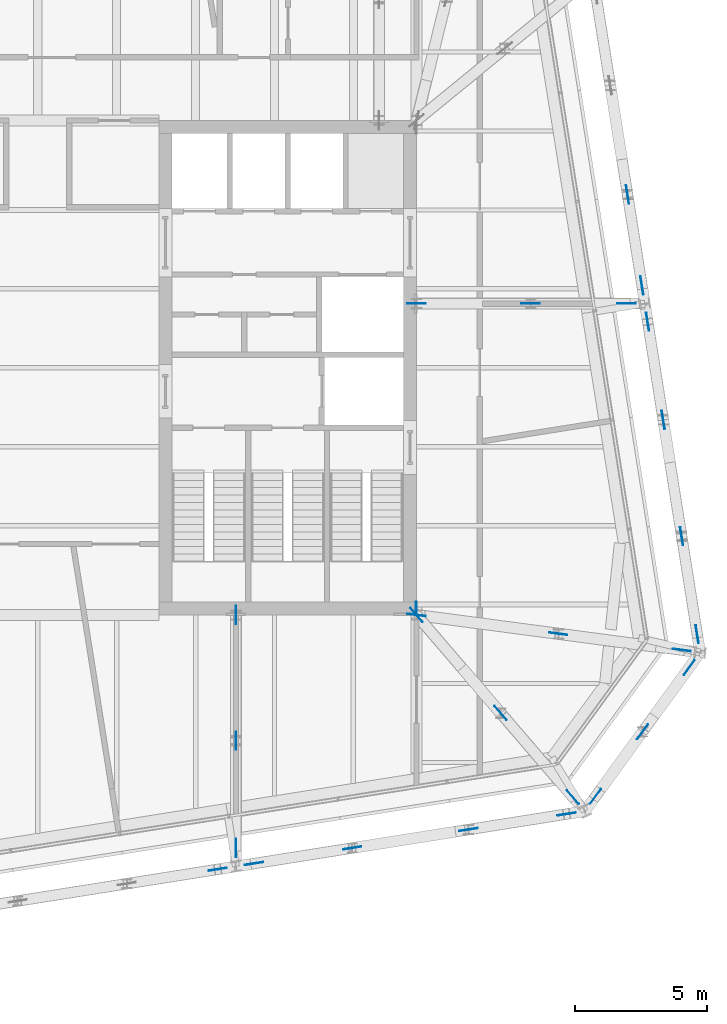
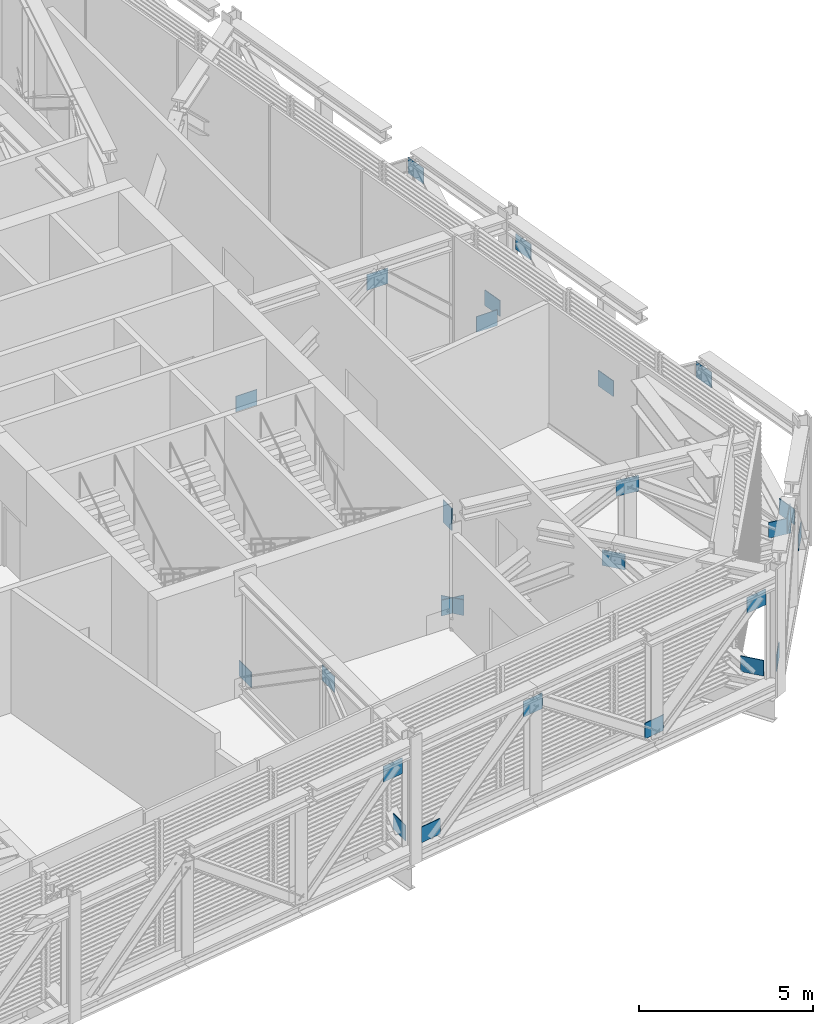
# One storey, part 28 of 32: 27 discrete accessories.
"""IFC4 building model written with IfcOpenShell, lengths in metres."""

from ifc_helpers import new_model, si_unit, direction, frame, origin, origin_2d, place, context, subcontext, project, spatial, rectangle, extrude, material, layer, layer_set, type_object, element, save


model = new_model("IFC4")

# Units and contexts
model_context = context("Model", 3, precision=1e-05, world=origin(), true_north=direction((0.0, 1.0)))
body_context = subcontext(model_context, "Body", "Model", "MODEL_VIEW")
ifc_project = project(units=[si_unit("LENGTHUNIT", "METRE"), si_unit("AREAUNIT", "SQUARE_METRE"), si_unit("VOLUMEUNIT", "CUBIC_METRE"), si_unit("PLANEANGLEUNIT", "RADIAN"), si_unit("MASSUNIT", "GRAM", prefix="KILO")], contexts=[model_context])

# Site, building, storey
site_placement = place(None, origin())
site = spatial("IfcSite", under=ifc_project, at=site_placement, CompositionType="ELEMENT")
building_placement = place(site_placement, origin())
building = spatial("IfcBuilding", under=site, at=building_placement, Name="Millrace Tower", CompositionType="ELEMENT")
storey_placement = place(building_placement, frame((0.0, 0.0, 266.89990234375)))
storey = spatial("IfcBuildingStorey", under=building, at=storey_placement, Name="L61", CompositionType="ELEMENT", Elevation=266.89990234375)

# Discrete accessories
ifc_material_1 = material(Name="Steel ASTM A572 Grade 50", Category="steel")
ifc_layer_1 = layer(ifc_material_1, 0.02490234375)
ifc_layer_set_1 = layer_set([ifc_layer_1], Name="Steel ASTM A572 Grade 50")
discrete_accessory_type_1 = type_object("IfcDiscreteAccessoryType", Name="Cast-in anchor plate 500x780x25", PredefinedType="ANCHORPLATE", material=ifc_layer_set_1)
discrete_accessory_1_placement = place(storey_placement, frame((14.375, -9.14990234375, 3.76513671875), z_axis=(1.0, 0.0, 0.0), x_axis=(0.0, 1.0, 0.0)))
element("IfcDiscreteAccessory", 1, at=discrete_accessory_1_placement, inside=storey, type_object=discrete_accessory_type_1, Name="Cast-in anchor plate BLT-L61-O05-V00", PredefinedType="ANCHORPLATE", context=body_context, shape_type="SweptSolid", body=[
    extrude(rectangle(XDim=0.5, YDim=0.780029296875, at=origin_2d()), origin(), (0.0, 0.0, 1.0), 0.02490234375),
])
ifc_material_2 = material(Name="Steel ASTM A572 Grade 50", Category="steel")
ifc_layer_2 = layer(ifc_material_2, 0.02490234375)
ifc_layer_set_2 = layer_set([ifc_layer_2], Name="Steel ASTM A572 Grade 50")
discrete_accessory_type_2 = type_object("IfcDiscreteAccessoryType", Name="Truss gusset plate 700x550x25", PredefinedType="BRACKET", material=ifc_layer_set_2)
for number, where, z_axis, x_axis, name in (
    (2, (6.49609375, -19.120849609375, 3.489990234375), (0.987717677878, 0.156249124184, 0.0), (-0.156249124184, 0.987717677878, 0.0), "Truss gusset plate BLT-L61-R03-D03 head"),
    (3, (7.87890625, -18.90185546875, 0.75), (0.987717677878, 0.156249124184, 0.0), (-0.156249124184, 0.987717677878, 0.0), "Truss gusset plate BLT-L61-R04-D01 foot"),
    (4, (11.608642578125, -18.311279296875, 3.489990234375), (0.987663796475, 0.156589351913, 0.0), (-0.156589351913, 0.987663796475, 0.0), "Truss gusset plate BLT-L61-R04-D01 head"),
    (5, (16.02978515625, -17.611083984375, 0.75), (0.987663796475, 0.156589351913, 0.0), (-0.156589351913, 0.987663796475, 0.0), "Truss gusset plate BLT-L61-R04-D02 foot"),
    (6, (19.75927734375, -17.020263671875, 3.489990234375), (0.987717677878, 0.156249124184, 0.0), (-0.156249124184, 0.987717677878, 0.0), "Truss gusset plate BLT-L61-R04-D03 head"),
    (7, (21.002197265625, -16.57275390625, 0.75), (0.587819016355, 0.808992462271, 0.0), (-0.808992462271, 0.587819016355, 0.0), "Truss gusset plate BLT-L61-R05-D01 foot"),
    (8, (22.78173828125, -14.12353515625, 3.489990234375), (0.587653156371, 0.809112951205, 0.0), (-0.809112951205, 0.587653156371, 0.0), "Truss gusset plate BLT-L61-R05-D01 head"),
    (9, (24.561279296875, -11.674072265625, 0.75), (0.587819016355, 0.808992462271, 0.0), (-0.808992462271, 0.587819016355, 0.0), "Truss gusset plate BLT-L61-R05-D02 foot"),
    (10, (25.01416015625, -9.78759765625, 0.75), (0.156589351913, -0.987663796475, 0.0), (0.987663796475, 0.156589351913, 0.0), "Truss gusset plate BLT-L61-R06-D01 foot"),
):
    element("IfcDiscreteAccessory", number, at=place(storey_placement, frame(where, z_axis=z_axis, x_axis=x_axis)), inside=storey, type_object=discrete_accessory_type_2, Name=name, PredefinedType="BRACKET", context=body_context, shape_type="SweptSolid", body=[
        extrude(rectangle(XDim=0.02490234375, YDim=0.550048828125, at=origin_2d()), origin(), (0.0, 0.0, 1.0), 0.699951171875),
    ])
discrete_accessory_2_placement = place(storey_placement, frame((24.42333984375, -6.05810546875, 3.489990234375), z_axis=(0.156643307321, -0.987655240593, 0.0), x_axis=(0.987655240593, 0.156643307321, 0.0)))
element("IfcDiscreteAccessory", 11, at=discrete_accessory_2_placement, inside=storey, type_object=discrete_accessory_type_2, Name="Truss gusset plate BLT-L61-R06-D01 head", PredefinedType="BRACKET", context=body_context, shape_type="SweptSolid", body=[
    extrude(rectangle(XDim=0.02490234375, YDim=0.550048828125, at=origin_2d()), origin(), (0.0, 0.0, 1.0), 0.69970703125),
])
for number, where, z_axis, x_axis, name in (
    (12, (23.72314453125, -1.636962890625, 0.75), (0.156589351913, -0.987663796475, 0.0), (0.987663796475, 0.156589351913, 0.0), "Truss gusset plate BLT-L61-R06-D02 foot"),
    (13, (23.132568359375, 2.0927734375, 3.489990234375), (0.156249124184, -0.987717677878, 0.0), (0.987717677878, 0.156249124184, 0.0), "Truss gusset plate BLT-L61-R06-D03 head"),
    (14, (22.91357421875, 3.4755859375, 0.75), (0.156249124184, -0.987717677878, 0.0), (0.987717677878, 0.156249124184, 0.0), "Truss gusset plate BLT-L61-R07-D01 foot"),
    (15, (22.365966796875, 6.932373046875, 3.489990234375), (0.156589351913, -0.987663796475, 0.0), (0.987663796475, 0.156589351913, 0.0), "Truss gusset plate BLT-L61-R07-D01 head"),
    (16, (7.533203125, -9.75, 0.75), (0.0, 1.0, 0.0), (-1.0, 0.0, 0.0), "Truss gusset plate BLT-L61-O04-D01 foot"),
    (17, (7.533203125, -14.5283203125, 3.489990234375), (0.0, 1.0, 0.0), (-1.0, 0.0, 0.0), "Truss gusset plate BLT-L61-O04-D01 head"),
    (18, (7.533203125, -18.606689453125, 0.75), (0.0, 1.0, 0.0), (-1.0, 0.0, 0.0), "Truss gusset plate BLT-L61-O04-D02 foot"),
):
    element("IfcDiscreteAccessory", number, at=place(storey_placement, frame(where, z_axis=z_axis, x_axis=x_axis)), inside=storey, type_object=discrete_accessory_type_2, Name=name, PredefinedType="BRACKET", context=body_context, shape_type="SweptSolid", body=[
        extrude(rectangle(XDim=0.02490234375, YDim=0.550048828125, at=origin_2d()), origin(), (0.0, 0.0, 1.0), 0.699951171875),
    ])
discrete_accessory_3_placement = place(storey_placement, frame((14.172119140625, -9.134521484375, 0.75), z_axis=(0.651337081509, -0.758788512203, 0.0), x_axis=(0.758788512203, 0.651337081509, 0.0)))
element("IfcDiscreteAccessory", 19, at=discrete_accessory_3_placement, inside=storey, type_object=discrete_accessory_type_2, Name="Truss gusset plate BLT-L61-O05-D01 foot", PredefinedType="BRACKET", context=body_context, shape_type="SweptSolid", body=[
    extrude(rectangle(XDim=0.02490234375, YDim=0.550048828125, at=origin_2d()), origin(), (0.0, 0.0, 1.0), 0.69970703125),
])
for number, where, z_axis, x_axis, name in (
    (20, (17.370361328125, -12.8623046875, 3.489990234375), (0.65116469018, -0.758936457329, 0.0), (0.758936457329, 0.65116469018, 0.0), "Truss gusset plate BLT-L61-O05-D01 head"),
    (21, (20.11279296875, -16.05908203125, 0.75), (0.65116469018, -0.758936457329, 0.0), (0.758936457329, 0.65116469018, 0.0), "Truss gusset plate BLT-L61-O05-D02 foot"),
):
    element("IfcDiscreteAccessory", number, at=place(storey_placement, frame(where, z_axis=z_axis, x_axis=x_axis)), inside=storey, type_object=discrete_accessory_type_2, Name=name, PredefinedType="BRACKET", context=body_context, shape_type="SweptSolid", body=[
        extrude(rectangle(XDim=0.02490234375, YDim=0.550048828125, at=origin_2d()), origin(), (0.0, 0.0, 1.0), 0.699951171875),
    ])
for number, where, z_axis, x_axis, name in (
    (22, (14.052978515625, -9.35400390625, 0.75), (0.991367434798, -0.131112963589, 0.0), (0.131112963589, 0.991367434798, 0.0), "Truss gusset plate BLT-L61-O06-D01 foot"),
    (23, (19.442138671875, -10.06640625, 3.489990234375), (0.991367434798, -0.131112963589, 0.0), (0.131112963589, 0.991367434798, 0.0), "Truss gusset plate BLT-L61-O06-D01 head"),
):
    element("IfcDiscreteAccessory", number, at=place(storey_placement, frame(where, z_axis=z_axis, x_axis=x_axis)), inside=storey, type_object=discrete_accessory_type_2, Name=name, PredefinedType="BRACKET", context=body_context, shape_type="SweptSolid", body=[
        extrude(rectangle(XDim=0.02490234375, YDim=0.550048828125, at=origin_2d()), origin(), (0.0, 0.0, 1.0), 0.7001953125),
    ])
for number, where, z_axis, x_axis, name in (
    (24, (24.137451171875, -10.68701171875, 0.75), (0.991361437243, -0.131158304153, 0.0), (0.131158304153, 0.991361437243, 0.0), "Truss gusset plate BLT-L61-O06-D02 foot"),
    (25, (14.050048828125, 2.4384765625, 0.75), (1.0, 0.0, 0.0), (0.0, 1.0, 0.0), "Truss gusset plate BLT-L61-O07-D01 foot"),
    (26, (18.388916015625, 2.4384765625, 3.489990234375), (1.0, 0.0, 0.0), (0.0, 1.0, 0.0), "Truss gusset plate BLT-L61-O07-D01 head"),
):
    element("IfcDiscreteAccessory", number, at=place(storey_placement, frame(where, z_axis=z_axis, x_axis=x_axis)), inside=storey, type_object=discrete_accessory_type_2, Name=name, PredefinedType="BRACKET", context=body_context, shape_type="SweptSolid", body=[
        extrude(rectangle(XDim=0.02490234375, YDim=0.550048828125, at=origin_2d()), origin(), (0.0, 0.0, 1.0), 0.699951171875),
    ])
discrete_accessory_4_placement = place(storey_placement, frame((22.027587890625, 2.4384765625, 0.75), z_axis=(1.0, 0.0, 0.0), x_axis=(0.0, 1.0, 0.0)))
element("IfcDiscreteAccessory", 27, at=discrete_accessory_4_placement, inside=storey, type_object=discrete_accessory_type_2, Name="Truss gusset plate BLT-L61-O07-D02 foot", PredefinedType="BRACKET", context=body_context, shape_type="SweptSolid", body=[
    extrude(rectangle(XDim=0.02490234375, YDim=0.550048828125, at=origin_2d()), origin(), (0.0, 0.0, 1.0), 0.7001953125),
])

save(model, "model.ifc")
